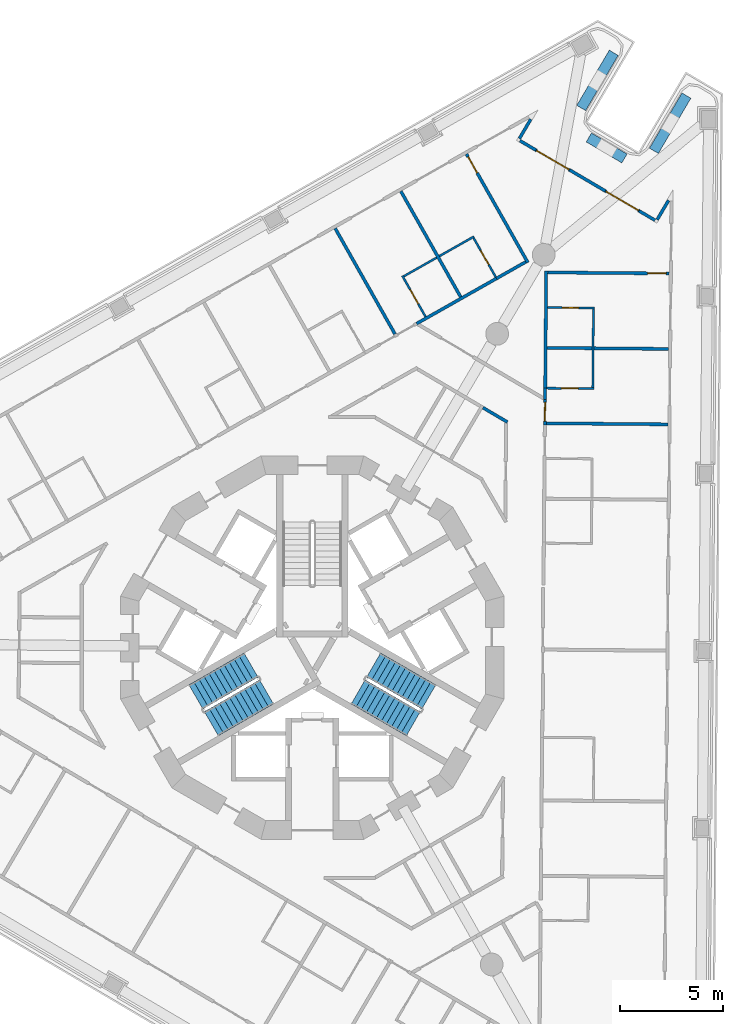
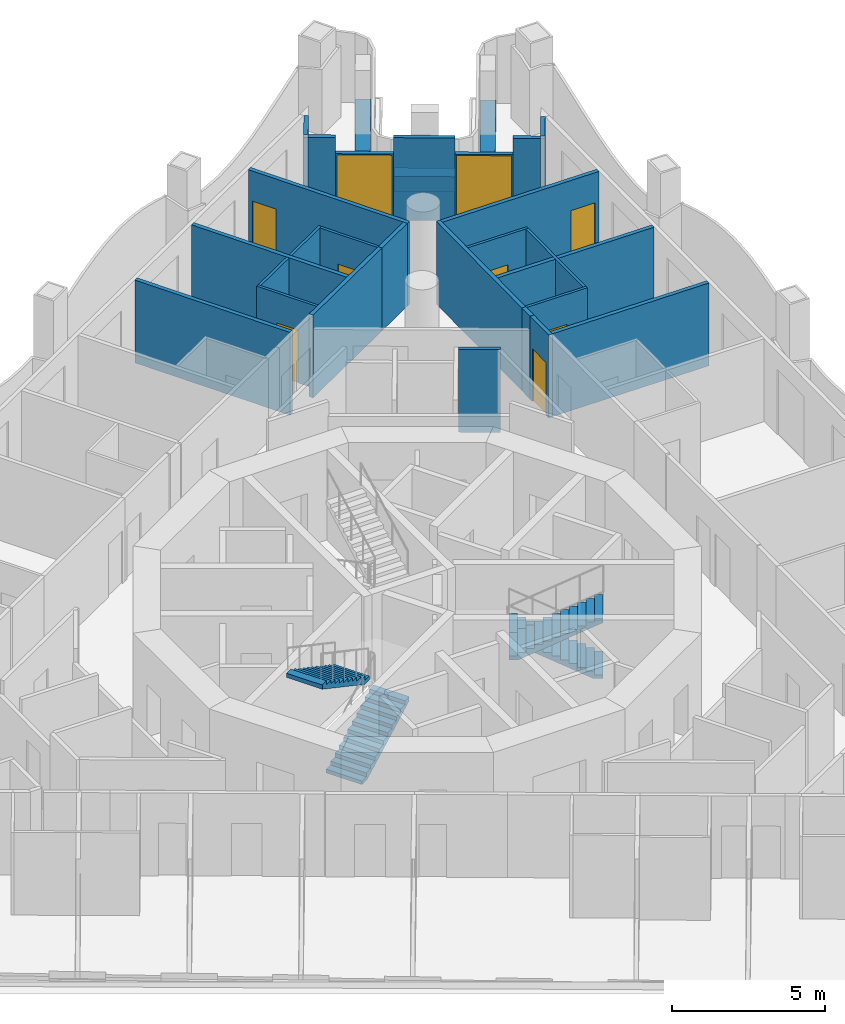
# One storey, part 10 of 18: 29 walls, 9 doors, 4 stair flights, 9 openings, 2 elements without a shape of their own.
"""IFC4 building model written with IfcOpenShell, lengths in metres."""

from ifc_helpers import new_model, si_unit, direction, frame, frame_2d, origin, place, context, subcontext, project, spatial, polyline, rectangle, outline, extrude, material, layer, layer_set, type_object, element, fill, aggregate, save


model = new_model("IFC4")

# Units and contexts
model_context = context("Model", 3, precision=1e-05, world=origin(), true_north=direction((0.0, 1.0)))
body_context = subcontext(model_context, "Body", "Model", "MODEL_VIEW")
ifc_project = project(units=[si_unit("LENGTHUNIT", "METRE"), si_unit("AREAUNIT", "SQUARE_METRE"), si_unit("VOLUMEUNIT", "CUBIC_METRE"), si_unit("PLANEANGLEUNIT", "RADIAN"), si_unit("MASSUNIT", "GRAM", prefix="KILO")], contexts=[model_context])

# Site, building, storey
site_placement = place(None, origin())
site = spatial("IfcSite", under=ifc_project, at=site_placement, CompositionType="ELEMENT")
building_placement = place(site_placement, origin())
building = spatial("IfcBuilding", under=site, at=building_placement, Name="Trine Commons Tower", CompositionType="ELEMENT")
storey_placement = place(building_placement, frame((0.0, 0.0, 171.89990234375)))
storey = spatial("IfcBuildingStorey", under=building, at=storey_placement, Name="L44", CompositionType="ELEMENT", Elevation=171.89990234375)

# Walls
ifc_material_1 = material(Name="Aluminium-framed insulated wall panel", Category="aluminium")
ifc_layer_1 = layer(ifc_material_1, 0.14990234375)
ifc_layer_set_1 = layer_set([ifc_layer_1], Name="Aluminium-framed insulated wall panel")
wall_type_1 = type_object("IfcWallType", Name="Glazed frame wall 150, EI 60", PredefinedType="SOLIDWALL", material=ifc_layer_set_1)
wall_1_placement = place(storey_placement, frame((90.63720703125, 88.173583984375, 0.0), z_axis=(0.0, 0.0, 1.0), x_axis=(-0.507591242276, -0.861598009958, 0.0)))
element("IfcWall", 1, at=wall_1_placement, inside=storey, type_object=wall_type_1, Name="Glazed frame wall R5", PredefinedType="SOLIDWALL", context=body_context, shape_type="SweptSolid", body=[
    extrude(outline(polyline([(0.1494140625, 0.074951171875), (0.1494140625, -0.074951171875), (1.235107421875, -0.074951171875), (1.235107421875, 0.074951171875), (0.1494140625, 0.074951171875)])), origin(), (0.0, 0.0, 1.0), 3.300048828125),
])
wall_2_placement = place(storey_placement, frame((89.9423828125, 87.062744140625, 0.0), z_axis=(0.0, 0.0, 1.0), x_axis=(0.861601384654, -0.50758551394, 0.0)))
element("IfcWall", 2, at=wall_2_placement, inside=storey, type_object=wall_type_1, Name="Glazed frame wall P2.1", PredefinedType="SOLIDWALL", context=body_context, shape_type="SweptSolid", body=[
    extrude(outline(polyline([(0.110107421875, -0.074951171875), (1.0, -0.074951171875), (1.0, 0.074951171875), (0.110107421875, 0.074951171875), (0.110107421875, -0.074951171875)])), origin(), (0.0, 0.0, 1.0), 3.300048828125),
])

# Wall, opening, door
wall_3_placement = place(storey_placement, frame((90.803955078125, 86.55517578125, 0.0), z_axis=(0.0, 0.0, 1.0), x_axis=(0.861603693734, -0.50758159437, 0.0)))
wall_3 = element("IfcWall", 3, at=wall_3_placement, inside=storey, type_object=wall_type_1, Name="Glazed frame wall P2.2", PredefinedType="SOLIDWALL", context=body_context, shape_type="SweptSolid", body=[
    extrude(outline(polyline([(0.0, -0.074951171875), (1.89990234375, -0.074951171875), (1.89990234375, 0.074951171875), (0.0, 0.074951171875), (0.0, -0.074951171875)])), origin(), (0.0, 0.0, 1.0), 2.650146484375),
])
opening_1_placement = place(wall_3_placement, frame((0.050048828125, 0.0, 0.0)))
opening_1 = element("IfcOpeningElement", 4, at=opening_1_placement, cuts=wall_3, Name="Opening BD-5P2-01", PredefinedType="OPENING", context=body_context, shape_type="SweptSolid", body=[
    extrude(rectangle(XDim=1.800048828125, YDim=2.60009765625, at=frame_2d((0.89990234375, 1.300048828125))), frame((0.0, 0.0849609375, 0.0), z_axis=(0.0, -1.0, 0.0), x_axis=(1.0, 0.0, 0.0)), (0.0, 0.0, 1.0), 0.169921875),
])
ifc_material_2 = material(Name="Anodised aluminium frame with double glazing", Category="aluminium")
door_type_1 = type_object("IfcDoorType", Name="Sliding loggia door 1800x2600", OperationType="SLIDING_TO_LEFT", PredefinedType="DOOR", material=ifc_material_2)
door_1_placement = place(opening_1_placement, origin())
door_1 = element("IfcDoor", 5, at=door_1_placement, inside=storey, type_object=door_type_1, Name="Loggia door P2 1", OperationType="SLIDING_TO_LEFT", OverallHeight=2.60009765625, OverallWidth=1.800048828125, PredefinedType="DOOR", context=body_context, shape_type="SweptSolid", body=[
    extrude(rectangle(XDim=1.800048828125, YDim=2.60009765625, at=frame_2d((0.89990234375, 1.300048828125))), frame((0.0, 0.02490234375, 0.0), z_axis=(0.0, -1.0, 0.0), x_axis=(1.0, 0.0, 0.0)), (0.0, 0.0, 1.0), 0.050048828125),
])
fill(opening_1, door_1)

# Wall
wall_4_placement = place(storey_placement, frame((92.44091796875, 85.5908203125, 0.0), z_axis=(0.0, 0.0, 1.0), x_axis=(0.861632831324, -0.507532130988, 0.0)))
element("IfcWall", 6, at=wall_4_placement, inside=storey, type_object=wall_type_1, Name="Glazed frame wall P2.3", PredefinedType="SOLIDWALL", context=body_context, shape_type="SweptSolid", body=[
    extrude(outline(polyline([(0.0, -0.074951171875), (2.0, -0.074951171875), (2.0, 0.074951171875), (0.0, 0.074951171875), (0.0, -0.074951171875)])), origin(), (0.0, 0.0, 1.0), 3.300048828125),
])

# Wall, opening, door
wall_5_placement = place(storey_placement, frame((94.164306640625, 84.57568359375, 0.0), z_axis=(0.0, 0.0, 1.0), x_axis=(0.86165989029, -0.507486190418, 0.0)))
wall_5 = element("IfcWall", 7, at=wall_5_placement, inside=storey, type_object=wall_type_1, Name="Glazed frame wall P2.4", PredefinedType="SOLIDWALL", context=body_context, shape_type="SweptSolid", body=[
    extrude(outline(polyline([(0.0, -0.074951171875), (1.89990234375, -0.074951171875), (1.89990234375, 0.074951171875), (0.0, 0.074951171875), (0.0, -0.074951171875)])), origin(), (0.0, 0.0, 1.0), 2.650146484375),
])
opening_2_placement = place(wall_5_placement, frame((0.050048828125, 0.0, 0.0)))
opening_2 = element("IfcOpeningElement", 8, at=opening_2_placement, cuts=wall_5, Name="Opening BD-5P2-02", PredefinedType="OPENING", context=body_context, shape_type="SweptSolid", body=[
    extrude(rectangle(XDim=1.800048828125, YDim=2.60009765625, at=frame_2d((0.89990234375, 1.300048828125))), frame((0.0, 0.0849609375, 0.0), z_axis=(0.0, -1.0, 0.0), x_axis=(1.0, 0.0, 0.0)), (0.0, 0.0, 1.0), 0.169921875),
])
door_2_placement = place(opening_2_placement, origin())
door_2 = element("IfcDoor", 9, at=door_2_placement, inside=storey, type_object=door_type_1, Name="Loggia door P2 2", OperationType="SLIDING_TO_LEFT", OverallHeight=2.60009765625, OverallWidth=1.800048828125, PredefinedType="DOOR", context=body_context, shape_type="SweptSolid", body=[
    extrude(rectangle(XDim=1.800048828125, YDim=2.60009765625, at=frame_2d((0.89990234375, 1.300048828125))), frame((0.0, 0.02490234375, 0.0), z_axis=(0.0, -1.0, 0.0), x_axis=(1.0, 0.0, 0.0)), (0.0, 0.0, 1.0), 0.050048828125),
])
fill(opening_2, door_2)

# Walls
wall_6_placement = place(storey_placement, frame((95.80126953125, 83.611572265625, 0.0), z_axis=(0.0, 0.0, 1.0), x_axis=(0.861664268073, -0.507478757315, 0.0)))
element("IfcWall", 10, at=wall_6_placement, inside=storey, type_object=wall_type_1, Name="Glazed frame wall P2.5", PredefinedType="SOLIDWALL", context=body_context, shape_type="SweptSolid", body=[
    extrude(outline(polyline([(0.889892578125, 0.074951171875), (0.0, 0.074951171875), (0.0, -0.074951171875), (0.889892578125, -0.074951171875), (0.889892578125, 0.074951171875)])), origin(), (0.0, 0.0, 1.0), 3.300048828125),
])
wall_7_placement = place(storey_placement, frame((96.614990234375, 83.091552734375, 0.0), z_axis=(0.0, 0.0, 1.0), x_axis=(0.507511857062, 0.86164477306, 0.0)))
element("IfcWall", 11, at=wall_7_placement, inside=storey, type_object=wall_type_1, Name="Glazed frame wall R7", PredefinedType="SOLIDWALL", context=body_context, shape_type="SweptSolid", body=[
    extrude(outline(polyline([(0.110107421875, 0.074951171875), (0.110107421875, -0.074951171875), (1.19580078125, -0.074951171875), (1.19580078125, 0.074951171875), (0.110107421875, 0.074951171875)])), origin(), (0.0, 0.0, 1.0), 3.300048828125),
])
ifc_material_3 = material(Name="Planter trough, precast concrete C40/50", Category="concrete")
ifc_layer_2 = layer(ifc_material_3, 0.5)
ifc_layer_set_2 = layer_set([ifc_layer_2], Name="Planter trough, precast concrete C40/50")
wall_type_2 = type_object("IfcWallType", Name="Planter trough 500x600", PredefinedType="PARAPET", material=ifc_layer_set_2)
wall_8_placement = place(storey_placement, frame((94.572509765625, 91.25830078125, 0.0), z_axis=(0.0, 0.0, 1.0), x_axis=(-0.507587916184, -0.861599969443, 0.0)))
element("IfcWall", 12, at=wall_8_placement, inside=storey, type_object=wall_type_2, Name="Planter 4", PredefinedType="PARAPET", context=body_context, shape_type="SweptSolid", body=[
    extrude(rectangle(XDim=3.099853515625, YDim=0.5, at=frame_2d((1.5498046875, 0.0))), origin(), (0.0, 0.0, 1.0), 0.60009765625),
])
wall_9_placement = place(storey_placement, frame((93.3671875, 87.163330078125, 0.0), z_axis=(0.0, 0.0, 1.0), x_axis=(0.861632831324, -0.507532130988, 0.0)))
element("IfcWall", 13, at=wall_9_placement, inside=storey, type_object=wall_type_2, Name="Planter 5", PredefinedType="PARAPET", context=body_context, shape_type="SweptSolid", body=[
    extrude(rectangle(XDim=2.000244140625, YDim=0.5, at=frame_2d((1.0, 0.0))), origin(), (0.0, 0.0, 1.0), 0.60009765625),
])
wall_10_placement = place(storey_placement, frame((96.514404296875, 86.5166015625, 0.0), z_axis=(0.0, 0.0, 1.0), x_axis=(0.507587916184, 0.861599969443, 0.0)))
element("IfcWall", 14, at=wall_10_placement, inside=storey, type_object=wall_type_2, Name="Planter 6", PredefinedType="PARAPET", context=body_context, shape_type="SweptSolid", body=[
    extrude(rectangle(XDim=3.099853515625, YDim=0.5, at=frame_2d((1.5498046875, 0.0))), origin(), (0.0, 0.0, 1.0), 0.60009765625),
])
ifc_material_4 = material(Name="Gypsum plasterboard on steel stud", Category="steel")
ifc_layer_3 = layer(ifc_material_4, 0.14990234375)
ifc_layer_set_3 = layer_set([ifc_layer_3], Name="Gypsum plasterboard on steel stud")
wall_type_3 = type_object("IfcWallType", Name="Unit and corridor wall 150 mm, EI 60", PredefinedType="PARTITIONING", material=ifc_layer_set_3)
wall_11_placement = place(storey_placement, frame((81.103759765625, 82.769287109375, 0.0), z_axis=(0.0, 0.0, 1.0), x_axis=(0.492361245758, -0.870390948756, 0.0)))
element("IfcWall", 15, at=wall_11_placement, inside=storey, type_object=wall_type_3, Name="Partition 074", PredefinedType="PARTITIONING", context=body_context, shape_type="SweptSolid", body=[
    extrude(rectangle(XDim=5.87451171875, YDim=0.14990234375, at=frame_2d((2.937255859375, 0.0))), origin(), (0.0, 0.0, 1.0), 3.300048828125),
])
wall_12_placement = place(storey_placement, frame((84.27880859375, 84.565185546875, 0.0), z_axis=(0.0, 0.0, 1.0), x_axis=(0.4923790567, -0.870380873252, 0.0)))
element("IfcWall", 16, at=wall_12_placement, inside=storey, type_object=wall_type_3, Name="Partition 085", PredefinedType="PARTITIONING", context=body_context, shape_type="SweptSolid", body=[
    extrude(rectangle(XDim=5.874267578125, YDim=0.14990234375, at=frame_2d((2.93701171875, 0.0))), origin(), (0.0, 0.0, 1.0), 3.300048828125),
])
wall_13_placement = place(storey_placement, frame((85.0439453125, 78.1630859375, 0.0), z_axis=(0.0, 0.0, 1.0), x_axis=(0.870383507411, 0.492374400256, 0.0)))
element("IfcWall", 17, at=wall_13_placement, inside=storey, type_object=wall_type_3, Name="Partition 094", PredefinedType="PARTITIONING", context=body_context, shape_type="SweptSolid", body=[
    extrude(rectangle(XDim=4.4892578125, YDim=0.14990234375, at=frame_2d((2.24462890625, 0.0))), origin(), (0.0, 0.0, 1.0), 3.300048828125),
])

# Wall, opening, door
wall_14_placement = place(storey_placement, frame((87.45263671875, 86.361083984375, 0.0), z_axis=(0.0, 0.0, 1.0), x_axis=(0.492389730591, -0.870374834889, 0.0)))
wall_14 = element("IfcWall", 18, at=wall_14_placement, inside=storey, type_object=wall_type_3, Name="Partition 105", PredefinedType="PARTITIONING", context=body_context, shape_type="SweptSolid", body=[
    extrude(rectangle(XDim=6.0244140625, YDim=0.14990234375, at=frame_2d((3.01220703125, 0.0))), origin(), (0.0, 0.0, 1.0), 3.300048828125),
])
opening_3_placement = place(wall_14_placement, frame((0.14990234375, 0.0, 0.0)))
opening_3 = element("IfcOpeningElement", 19, at=opening_3_placement, cuts=wall_14, Name="Opening D-5B14", PredefinedType="OPENING", context=body_context, shape_type="SweptSolid", body=[
    extrude(rectangle(XDim=0.89990234375, YDim=2.10009765625, at=frame_2d((0.449951171875, 1.050048828125))), frame((0.0, 0.0849609375, 0.0), z_axis=(0.0, -1.0, 0.0), x_axis=(1.0, 0.0, 0.0)), (0.0, 0.0, 1.0), 0.169921875),
])
ifc_material_5 = material(Name="Timber fire door set", Category="wood")
door_type_2 = type_object("IfcDoorType", Name="Bedroom door 900 x 2100, FD30S", OperationType="NOTDEFINED", PredefinedType="DOOR", material=ifc_material_5)
door_3_placement = place(opening_3_placement, frame((0.89990234375, 0.0, 0.0), z_axis=(0.0, 0.0, 1.0), x_axis=(-1.0, 0.0, 0.0)))
door_3 = element("IfcDoor", 20, at=door_3_placement, inside=storey, type_object=door_type_2, Name="Door D-5B14", OperationType="SINGLE_SWING_RIGHT", OverallHeight=2.10009765625, OverallWidth=0.89990234375, PredefinedType="DOOR", context=body_context, shape_type="SweptSolid", body=[
    extrude(rectangle(XDim=0.89990234375, YDim=2.10009765625, at=frame_2d((0.449951171875, 1.050048828125))), frame((0.0, 0.02490234375, 0.0), z_axis=(0.0, -1.0, 0.0), x_axis=(1.0, 0.0, 0.0)), (0.0, 0.0, 1.0), 0.050048828125),
])
fill(opening_3, door_3)

# Walls
wall_15_placement = place(storey_placement, frame((88.24951171875, 74.098876953125, 0.0), z_axis=(0.0, 0.0, 1.0), x_axis=(0.861463535888, -0.507819432805, 0.0)))
element("IfcWall", 21, at=wall_15_placement, inside=storey, type_object=wall_type_3, Name="Partition 111", PredefinedType="PARTITIONING", context=body_context, shape_type="SweptSolid", body=[
    extrude(rectangle(XDim=1.37451171875, YDim=0.14990234375, at=frame_2d((0.687255859375, 0.0))), origin(), (0.0, 0.0, 1.0), 3.300048828125),
])
wall_16_placement = place(storey_placement, frame((88.902099609375, 80.344970703125, 0.0), z_axis=(0.0, 0.0, 1.0), x_axis=(0.870168163768, 0.492754874927, 0.0)))
element("IfcWall", 22, at=wall_16_placement, inside=storey, type_object=wall_type_3, Name="Partition 113", PredefinedType="PARTITIONING", context=body_context, shape_type="SweptSolid", body=[
    extrude(rectangle(XDim=1.62548828125, YDim=0.14990234375, at=frame_2d((0.812744140625, 0.0))), origin(), (0.0, 0.0, 1.0), 3.300048828125),
])

# Wall, opening, door
wall_17_placement = place(storey_placement, frame((91.242431640625, 73.264892578125, 0.0), z_axis=(0.0, 0.0, 1.0), x_axis=(0.008465930109, 0.999964163372, 0.0)))
wall_17 = element("IfcWall", 23, at=wall_17_placement, inside=storey, type_object=wall_type_3, Name="Partition 136", PredefinedType="PARTITIONING", context=body_context, shape_type="SweptSolid", body=[
    extrude(rectangle(XDim=1.239990234375, YDim=0.14990234375, at=frame_2d((0.6201171875, 0.0))), origin(), (0.0, 0.0, 1.0), 3.300048828125),
])
opening_4_placement = place(wall_17_placement, frame((0.18505859375, 0.0, 0.0)))
opening_4 = element("IfcOpeningElement", 24, at=opening_4_placement, cuts=wall_17, Name="Opening D-5B16", PredefinedType="OPENING", context=body_context, shape_type="SweptSolid", body=[
    extrude(rectangle(XDim=0.89990234375, YDim=2.10009765625, at=frame_2d((0.449951171875, 1.050048828125))), frame((0.0, 0.0849609375, 0.0), z_axis=(0.0, -1.0, 0.0), x_axis=(1.0, 0.0, 0.0)), (0.0, 0.0, 1.0), 0.169921875),
])
door_4_placement = place(opening_4_placement, frame((0.89990234375, 0.0, 0.0), z_axis=(0.0, 0.0, 1.0), x_axis=(-1.0, 0.0, 0.0)))
door_4 = element("IfcDoor", 25, at=door_4_placement, inside=storey, type_object=door_type_2, Name="Door D-5B16", OperationType="SINGLE_SWING_LEFT", OverallHeight=2.10009765625, OverallWidth=0.89990234375, PredefinedType="DOOR", context=body_context, shape_type="SweptSolid", body=[
    extrude(rectangle(XDim=0.89990234375, YDim=2.10009765625, at=frame_2d((0.449951171875, 1.050048828125))), frame((0.0, 0.02490234375, 0.0), z_axis=(0.0, -1.0, 0.0), x_axis=(1.0, 0.0, 0.0)), (0.0, 0.0, 1.0), 0.050048828125),
])
fill(opening_4, door_4)

# Walls
wall_18_placement = place(storey_placement, frame((91.318115234375, 73.34326171875, 0.0), z_axis=(0.0, 0.0, 1.0), x_axis=(0.999962270343, -0.008686650089, 0.0)))
element("IfcWall", 26, at=wall_18_placement, inside=storey, type_object=wall_type_3, Name="Partition 137", PredefinedType="PARTITIONING", context=body_context, shape_type="SweptSolid", body=[
    extrude(rectangle(XDim=5.8740234375, YDim=0.14990234375, at=frame_2d((2.93701171875, 0.0))), origin(), (0.0, 0.0, 1.0), 3.300048828125),
])
wall_19_placement = place(storey_placement, frame((91.2529296875, 74.5048828125, 0.0), z_axis=(0.0, 0.0, 1.0), x_axis=(0.009493243084, 0.999954938153, 0.0)))
element("IfcWall", 27, at=wall_19_placement, inside=storey, type_object=wall_type_3, Name="Partition 138", PredefinedType="PARTITIONING", context=body_context, shape_type="SweptSolid", body=[
    extrude(rectangle(XDim=0.5400390625, YDim=0.14990234375, at=frame_2d((0.27001953125, 0.0))), origin(), (0.0, 0.0, 1.0), 3.300048828125),
])
wall_20_placement = place(storey_placement, frame((91.257568359375, 74.987060546875, 0.0), z_axis=(0.0, 0.0, 1.0), x_axis=(0.008740552131, 0.999961800645, 0.0)))
element("IfcWall", 28, at=wall_20_placement, inside=storey, type_object=wall_type_3, Name="Partition 139", PredefinedType="PARTITIONING", context=body_context, shape_type="SweptSolid", body=[
    extrude(rectangle(XDim=5.72607421875, YDim=0.14990234375, at=frame_2d((2.863037109375, 0.0))), origin(), (0.0, 0.0, 1.0), 3.300048828125),
])
wall_21_placement = place(storey_placement, frame((91.35009765625, 76.990234375, 0.0), z_axis=(0.0, 0.0, 1.0), x_axis=(0.999962273479, -0.008686289076, 0.0)))
element("IfcWall", 29, at=wall_21_placement, inside=storey, type_object=wall_type_3, Name="Partition 141", PredefinedType="PARTITIONING", context=body_context, shape_type="SweptSolid", body=[
    extrude(rectangle(XDim=5.874267578125, YDim=0.14990234375, at=frame_2d((2.93701171875, 0.0))), origin(), (0.0, 0.0, 1.0), 3.300048828125),
])

# Wall, opening, door
wall_22_placement = place(storey_placement, frame((91.382080078125, 80.63720703125, 0.0), z_axis=(0.0, 0.0, 1.0), x_axis=(0.999962273479, -0.008686289076, 0.0)))
wall_22 = element("IfcWall", 30, at=wall_22_placement, inside=storey, type_object=wall_type_3, Name="Partition 143", PredefinedType="PARTITIONING", context=body_context, shape_type="SweptSolid", body=[
    extrude(rectangle(XDim=5.874267578125, YDim=0.14990234375, at=frame_2d((2.93701171875, 0.0))), origin(), (0.0, 0.0, 1.0), 3.300048828125),
])
opening_5_placement = place(wall_22_placement, frame((4.82421875, 0.0, 0.0)))
opening_5 = element("IfcOpeningElement", 31, at=opening_5_placement, cuts=wall_22, Name="Opening D-5B15", PredefinedType="OPENING", context=body_context, shape_type="SweptSolid", body=[
    extrude(rectangle(XDim=0.89990234375, YDim=2.10009765625, at=frame_2d((0.449951171875, 1.050048828125))), frame((0.0, 0.0849609375, 0.0), z_axis=(0.0, -1.0, 0.0), x_axis=(1.0, 0.0, 0.0)), (0.0, 0.0, 1.0), 0.169921875),
])
door_5_placement = place(opening_5_placement, frame((0.89990234375, 0.0, 0.0), z_axis=(0.0, 0.0, 1.0), x_axis=(-1.0, 0.0, 0.0)))
door_5 = element("IfcDoor", 32, at=door_5_placement, inside=storey, type_object=door_type_2, Name="Door D-5B15", OperationType="SINGLE_SWING_LEFT", OverallHeight=2.10009765625, OverallWidth=0.89990234375, PredefinedType="DOOR", context=body_context, shape_type="SweptSolid", body=[
    extrude(rectangle(XDim=0.89990234375, YDim=2.10009765625, at=frame_2d((0.449951171875, 1.050048828125))), frame((0.0, 0.02490234375, 0.0), z_axis=(0.0, -1.0, 0.0), x_axis=(1.0, 0.0, 0.0)), (0.0, 0.0, 1.0), 0.050048828125),
])
fill(opening_5, door_5)

ifc_layer_4 = layer(ifc_material_4, 0.10009765625)
ifc_layer_set_4 = layer_set([ifc_layer_4], Name="Gypsum plasterboard on steel stud")
wall_type_4 = type_object("IfcWallType", Name="Unit partition 100 mm, no rating", PredefinedType="PARTITIONING", material=ifc_layer_set_4)
wall_23_placement = place(storey_placement, frame((84.353515625, 80.471435546875, 0.0), z_axis=(0.0, 0.0, 1.0), x_axis=(0.492690247552, -0.870204757495, 0.0)))
wall_23 = element("IfcWall", 33, at=wall_23_placement, inside=storey, type_object=wall_type_4, Name="Partition 086", PredefinedType="PARTITIONING", context=body_context, shape_type="SweptSolid", body=[
    extrude(rectangle(XDim=2.2744140625, YDim=0.10009765625, at=frame_2d((1.13720703125, 0.0))), origin(), (0.0, 0.0, 1.0), 3.300048828125),
])
opening_6_placement = place(wall_23_placement, frame((0.76220703125, 0.0, 0.0)))
opening_6 = element("IfcOpeningElement", 34, at=opening_6_placement, cuts=wall_23, Name="Opening D-5B45", PredefinedType="OPENING", context=body_context, shape_type="SweptSolid", body=[
    extrude(rectangle(XDim=0.800048828125, YDim=2.10009765625, at=frame_2d((0.39990234375, 1.050048828125))), frame((0.0, 0.06005859375, 0.0), z_axis=(0.0, -1.0, 0.0), x_axis=(1.0, 0.0, 0.0)), (0.0, 0.0, 1.0), 0.1201171875),
])
ifc_material_6 = material(Name="Painted timber", Category="wood")
door_type_3 = type_object("IfcDoorType", Name="Internal door 800 x 2100, NOT RATED", OperationType="NOTDEFINED", PredefinedType="DOOR", material=ifc_material_6)
door_6_placement = place(opening_6_placement, frame((0.800048828125, 0.0, 0.0), z_axis=(0.0, 0.0, 1.0), x_axis=(-1.0, 0.0, 0.0)))
door_6 = element("IfcDoor", 35, at=door_6_placement, inside=storey, type_object=door_type_3, Name="Door D-5B45", OperationType="SINGLE_SWING_LEFT", OverallHeight=2.10009765625, OverallWidth=0.800048828125, PredefinedType="DOOR", context=body_context, shape_type="SweptSolid", body=[
    extrude(rectangle(XDim=0.800048828125, YDim=2.10009765625, at=frame_2d((0.39990234375, 1.050048828125))), frame((0.0, 0.02490234375, 0.0), z_axis=(0.0, -1.0, 0.0), x_axis=(1.0, 0.0, 0.0)), (0.0, 0.0, 1.0), 0.050048828125),
])
fill(opening_6, door_6)

# Walls
wall_24_placement = place(storey_placement, frame((84.42138671875, 80.45263671875, 0.0), z_axis=(0.0, 0.0, 1.0), x_axis=(0.870178952447, 0.492735822443, 0.0)))
element("IfcWall", 36, at=wall_24_placement, inside=storey, type_object=wall_type_4, Name="Partition 087", PredefinedType="PARTITIONING", context=body_context, shape_type="SweptSolid", body=[
    extrude(rectangle(XDim=1.825439453125, YDim=0.10009765625, at=frame_2d((0.91259765625, 0.0))), origin(), (0.0, 0.0, 1.0), 3.300048828125),
])
wall_25_placement = place(storey_placement, frame((86.140380859375, 81.42578125, 0.0), z_axis=(0.0, 0.0, 1.0), x_axis=(0.870343029739, 0.492445946866, 0.0)))
element("IfcWall", 37, at=wall_25_placement, inside=storey, type_object=wall_type_4, Name="Partition 099", PredefinedType="PARTITIONING", context=body_context, shape_type="SweptSolid", body=[
    extrude(rectangle(XDim=1.924560546875, YDim=0.10009765625, at=frame_2d((0.96240234375, 0.0))), origin(), (0.0, 0.0, 1.0), 3.300048828125),
])

# Wall, opening, door
wall_26_placement = place(storey_placement, frame((87.796630859375, 82.305419921875, 0.0), z_axis=(0.0, 0.0, 1.0), x_axis=(0.492593408535, -0.870259578441, 0.0)))
wall_26 = element("IfcWall", 38, at=wall_26_placement, inside=storey, type_object=wall_type_4, Name="Partition 107", PredefinedType="PARTITIONING", context=body_context, shape_type="SweptSolid", body=[
    extrude(rectangle(XDim=2.17529296875, YDim=0.10009765625, at=frame_2d((1.087646484375, 0.0))), origin(), (0.0, 0.0, 1.0), 3.300048828125),
])
opening_7_placement = place(wall_26_placement, frame((0.6875, 0.0, 0.0)))
opening_7 = element("IfcOpeningElement", 39, at=opening_7_placement, cuts=wall_26, Name="Opening D-5B46", PredefinedType="OPENING", context=body_context, shape_type="SweptSolid", body=[
    extrude(rectangle(XDim=0.800048828125, YDim=2.10009765625, at=frame_2d((0.39990234375, 1.050048828125))), frame((0.0, 0.06005859375, 0.0), z_axis=(0.0, -1.0, 0.0), x_axis=(1.0, 0.0, 0.0)), (0.0, 0.0, 1.0), 0.1201171875),
])
door_7_placement = place(opening_7_placement, origin())
door_7 = element("IfcDoor", 40, at=door_7_placement, inside=storey, type_object=door_type_3, Name="Door D-5B46", OperationType="SINGLE_SWING_LEFT", OverallHeight=2.10009765625, OverallWidth=0.800048828125, PredefinedType="DOOR", context=body_context, shape_type="SweptSolid", body=[
    extrude(rectangle(XDim=0.800048828125, YDim=2.10009765625, at=frame_2d((0.39990234375, 1.050048828125))), frame((0.0, 0.02490234375, 0.0), z_axis=(0.0, -1.0, 0.0), x_axis=(1.0, 0.0, 0.0)), (0.0, 0.0, 1.0), 0.050048828125),
])
fill(opening_7, door_7)

wall_27_placement = place(storey_placement, frame((91.3330078125, 75.040283203125, 0.0), z_axis=(0.0, 0.0, 1.0), x_axis=(0.999962219299, -0.008692524121, 0.0)))
wall_27 = element("IfcWall", 41, at=wall_27_placement, inside=storey, type_object=wall_type_4, Name="Partition 140", PredefinedType="PARTITIONING", context=body_context, shape_type="SweptSolid", body=[
    extrude(rectangle(XDim=2.27490234375, YDim=0.10009765625, at=frame_2d((1.137451171875, 0.0))), origin(), (0.0, 0.0, 1.0), 3.300048828125),
])
opening_8_placement = place(wall_27_placement, frame((0.71240234375, 0.0, 0.0)))
opening_8 = element("IfcOpeningElement", 42, at=opening_8_placement, cuts=wall_27, Name="Opening D-5B48", PredefinedType="OPENING", context=body_context, shape_type="SweptSolid", body=[
    extrude(rectangle(XDim=0.800048828125, YDim=2.10009765625, at=frame_2d((0.39990234375, 1.050048828125))), frame((0.0, 0.06005859375, 0.0), z_axis=(0.0, -1.0, 0.0), x_axis=(1.0, 0.0, 0.0)), (0.0, 0.0, 1.0), 0.1201171875),
])
door_8_placement = place(opening_8_placement, frame((0.800048828125, 0.0, 0.0), z_axis=(0.0, 0.0, 1.0), x_axis=(-1.0, 0.0, 0.0)))
door_8 = element("IfcDoor", 43, at=door_8_placement, inside=storey, type_object=door_type_3, Name="Door D-5B48", OperationType="SINGLE_SWING_RIGHT", OverallHeight=2.10009765625, OverallWidth=0.800048828125, PredefinedType="DOOR", context=body_context, shape_type="SweptSolid", body=[
    extrude(rectangle(XDim=0.800048828125, YDim=2.10009765625, at=frame_2d((0.39990234375, 1.050048828125))), frame((0.0, 0.02490234375, 0.0), z_axis=(0.0, -1.0, 0.0), x_axis=(1.0, 0.0, 0.0)), (0.0, 0.0, 1.0), 0.050048828125),
])
fill(opening_8, door_8)

wall_28_placement = place(storey_placement, frame((91.366943359375, 78.940185546875, 0.0), z_axis=(0.0, 0.0, 1.0), x_axis=(0.999963154254, -0.008584295776, 0.0)))
wall_28 = element("IfcWall", 44, at=wall_28_placement, inside=storey, type_object=wall_type_4, Name="Partition 142", PredefinedType="PARTITIONING", context=body_context, shape_type="SweptSolid", body=[
    extrude(rectangle(XDim=2.275146484375, YDim=0.10009765625, at=frame_2d((1.1376953125, 0.0))), origin(), (0.0, 0.0, 1.0), 3.300048828125),
])
opening_9_placement = place(wall_28_placement, frame((0.71240234375, 0.0, 0.0)))
opening_9 = element("IfcOpeningElement", 45, at=opening_9_placement, cuts=wall_28, Name="Opening D-5B47", PredefinedType="OPENING", context=body_context, shape_type="SweptSolid", body=[
    extrude(rectangle(XDim=0.800048828125, YDim=2.10009765625, at=frame_2d((0.39990234375, 1.050048828125))), frame((0.0, 0.06005859375, 0.0), z_axis=(0.0, -1.0, 0.0), x_axis=(1.0, 0.0, 0.0)), (0.0, 0.0, 1.0), 0.1201171875),
])
door_9_placement = place(opening_9_placement, origin())
door_9 = element("IfcDoor", 46, at=door_9_placement, inside=storey, type_object=door_type_3, Name="Door D-5B47", OperationType="SINGLE_SWING_LEFT", OverallHeight=2.10009765625, OverallWidth=0.800048828125, PredefinedType="DOOR", context=body_context, shape_type="SweptSolid", body=[
    extrude(rectangle(XDim=0.800048828125, YDim=2.10009765625, at=frame_2d((0.39990234375, 1.050048828125))), frame((0.0, 0.02490234375, 0.0), z_axis=(0.0, -1.0, 0.0), x_axis=(1.0, 0.0, 0.0)), (0.0, 0.0, 1.0), 0.050048828125),
])
fill(opening_9, door_9)

# Wall
wall_29_placement = place(storey_placement, frame((93.558349609375, 75.071044921875, 0.0), z_axis=(0.0, 0.0, 1.0), x_axis=(0.008737218686, 0.999961829776, 0.0)))
element("IfcWall", 47, at=wall_29_placement, inside=storey, type_object=wall_type_4, Name="Partition 148", PredefinedType="PARTITIONING", context=body_context, shape_type="SweptSolid", body=[
    extrude(rectangle(XDim=3.80029296875, YDim=0.10009765625, at=frame_2d((1.900146484375, 0.0))), origin(), (0.0, 0.0, 1.0), 3.300048828125),
])

# Stair, stair flights
ifc_material_7 = material(Name="Concrete C50/60", Category="concrete")
stair_type = type_object("IfcStairType", Name="Exit stair, dog-leg, 24 risers of 150 mm", PredefinedType="HALF_TURN_STAIR", material=ifc_material_7)
stair_1_placement = place(storey_placement, origin())
stair_1 = element("IfcStair", 48, at=stair_1_placement, inside=storey, type_object=stair_type, Name="L44 Exit stair ST2B", PredefinedType="HALF_TURN_STAIR")
stair_flight_type = type_object("IfcStairFlightType", Name="Stair flight, 1350 wide, 12 risers of 150 mm", PredefinedType="STRAIGHT", material=ifc_material_7)
stair_flight_1_placement = place(storey_placement, frame((75.11767578125, 58.815185546875, 0.0), z_axis=(0.0, 0.0, 1.0), x_axis=(0.866025403784, 0.5, 0.0)))
stair_flight_1 = element("IfcStairFlight", 49, at=stair_flight_1_placement, type_object=stair_flight_type, Name="ST2B flight 1", NumberOfRisers=12, NumberOfTreads=11, PredefinedType="STRAIGHT", RiserHeight=0.15, TreadLength=0.28, context=body_context, shape_type="SweptSolid", body=[
    extrude(outline(polyline([(0.0, 0.0), (0.0, 0.14990234375), (0.280029296875, 0.14990234375), (0.280029296875, 0.300048828125), (0.56005859375, 0.300048828125), (0.56005859375, 0.449951171875), (0.840087890625, 0.449951171875), (0.840087890625, 0.60009765625), (1.1201171875, 0.60009765625), (1.1201171875, 0.75), (1.39990234375, 0.75), (1.39990234375, 0.89990234375), (1.679931640625, 0.89990234375), (1.679931640625, 1.050048828125), (1.9599609375, 1.050048828125), (1.9599609375, 1.199951171875), (2.239990234375, 1.199951171875), (2.239990234375, 1.35009765625), (2.52001953125, 1.35009765625), (2.52001953125, 1.5), (2.800048828125, 1.5), (2.800048828125, 1.64990234375), (3.080078125, 1.64990234375), (3.080078125, 1.800048828125), (3.080078125, 1.47998046875), (0.3173828125, 0.0), (0.0, 0.0)])), frame((0.0, 0.675048828125, 0.0), z_axis=(0.0, -1.0, 0.0), x_axis=(1.0, 0.0, 0.0)), (0.0, 0.0, 1.0), 1.35009765625),
])
stair_flight_2_placement = place(storey_placement, frame((77.03515625, 61.654296875, 1.800048828125), z_axis=(0.0, 0.0, 1.0), x_axis=(-0.866025403784, -0.5, 0.0)))
stair_flight_2 = element("IfcStairFlight", 50, at=stair_flight_2_placement, type_object=stair_flight_type, Name="ST2B flight 2", NumberOfRisers=12, NumberOfTreads=11, PredefinedType="STRAIGHT", RiserHeight=0.15, TreadLength=0.28, context=body_context, shape_type="SweptSolid", body=[
    extrude(outline(polyline([(0.0, 0.0), (0.0, 0.14990234375), (0.280029296875, 0.14990234375), (0.280029296875, 0.300048828125), (0.56005859375, 0.300048828125), (0.56005859375, 0.449951171875), (0.840087890625, 0.449951171875), (0.840087890625, 0.60009765625), (1.1201171875, 0.60009765625), (1.1201171875, 0.75), (1.39990234375, 0.75), (1.39990234375, 0.89990234375), (1.679931640625, 0.89990234375), (1.679931640625, 1.050048828125), (1.9599609375, 1.050048828125), (1.9599609375, 1.199951171875), (2.239990234375, 1.199951171875), (2.239990234375, 1.35009765625), (2.52001953125, 1.35009765625), (2.52001953125, 1.5), (2.800048828125, 1.5), (2.800048828125, 1.64990234375), (3.080078125, 1.64990234375), (3.080078125, 1.800048828125), (3.080078125, 1.47998046875), (0.3173828125, 0.0), (0.0, 0.0)])), frame((0.0, 0.675048828125, 0.0), z_axis=(0.0, -1.0, 0.0), x_axis=(1.0, 0.0, 0.0)), (0.0, 0.0, 1.0), 1.35009765625),
])
aggregate(stair_1, [stair_flight_1, stair_flight_2])

stair_2_placement = place(storey_placement, origin())
stair_2 = element("IfcStair", 51, at=stair_2_placement, inside=storey, type_object=stair_type, Name="L44 Exit stair ST3B", PredefinedType="HALF_TURN_STAIR")
stair_flight_3_placement = place(storey_placement, frame((85.63232421875, 60.1142578125, 0.0), z_axis=(0.0, 0.0, 1.0), x_axis=(-0.866025403784, 0.5, 0.0)))
stair_flight_3 = element("IfcStairFlight", 52, at=stair_flight_3_placement, type_object=stair_flight_type, Name="ST3B flight 1", NumberOfRisers=12, NumberOfTreads=11, PredefinedType="STRAIGHT", RiserHeight=0.15, TreadLength=0.28, context=body_context, shape_type="SweptSolid", body=[
    extrude(outline(polyline([(0.0, 0.0), (0.0, 0.14990234375), (0.280029296875, 0.14990234375), (0.280029296875, 0.300048828125), (0.56005859375, 0.300048828125), (0.56005859375, 0.449951171875), (0.840087890625, 0.449951171875), (0.840087890625, 0.60009765625), (1.1201171875, 0.60009765625), (1.1201171875, 0.75), (1.39990234375, 0.75), (1.39990234375, 0.89990234375), (1.679931640625, 0.89990234375), (1.679931640625, 1.050048828125), (1.9599609375, 1.050048828125), (1.9599609375, 1.199951171875), (2.239990234375, 1.199951171875), (2.239990234375, 1.35009765625), (2.52001953125, 1.35009765625), (2.52001953125, 1.5), (2.800048828125, 1.5), (2.800048828125, 1.64990234375), (3.080078125, 1.64990234375), (3.080078125, 1.800048828125), (3.080078125, 1.47998046875), (0.3173828125, 0.0), (0.0, 0.0)])), frame((0.0, 0.675048828125, 0.0), z_axis=(0.0, -1.0, 0.0), x_axis=(1.0, 0.0, 0.0)), (0.0, 0.0, 1.0), 1.35009765625),
])
stair_flight_4_placement = place(storey_placement, frame((82.21484375, 60.355224609375, 1.800048828125), z_axis=(0.0, 0.0, 1.0), x_axis=(0.866025403784, -0.5, 0.0)))
stair_flight_4 = element("IfcStairFlight", 53, at=stair_flight_4_placement, type_object=stair_flight_type, Name="ST3B flight 2", NumberOfRisers=12, NumberOfTreads=11, PredefinedType="STRAIGHT", RiserHeight=0.15, TreadLength=0.28, context=body_context, shape_type="SweptSolid", body=[
    extrude(outline(polyline([(0.0, 0.0), (0.0, 0.14990234375), (0.280029296875, 0.14990234375), (0.280029296875, 0.300048828125), (0.56005859375, 0.300048828125), (0.56005859375, 0.449951171875), (0.840087890625, 0.449951171875), (0.840087890625, 0.60009765625), (1.1201171875, 0.60009765625), (1.1201171875, 0.75), (1.39990234375, 0.75), (1.39990234375, 0.89990234375), (1.679931640625, 0.89990234375), (1.679931640625, 1.050048828125), (1.9599609375, 1.050048828125), (1.9599609375, 1.199951171875), (2.239990234375, 1.199951171875), (2.239990234375, 1.35009765625), (2.52001953125, 1.35009765625), (2.52001953125, 1.5), (2.800048828125, 1.5), (2.800048828125, 1.64990234375), (3.080078125, 1.64990234375), (3.080078125, 1.800048828125), (3.080078125, 1.47998046875), (0.3173828125, 0.0), (0.0, 0.0)])), frame((0.0, 0.675048828125, 0.0), z_axis=(0.0, -1.0, 0.0), x_axis=(1.0, 0.0, 0.0)), (0.0, 0.0, 1.0), 1.35009765625),
])
aggregate(stair_2, [stair_flight_3, stair_flight_4])

save(model, "model.ifc")
